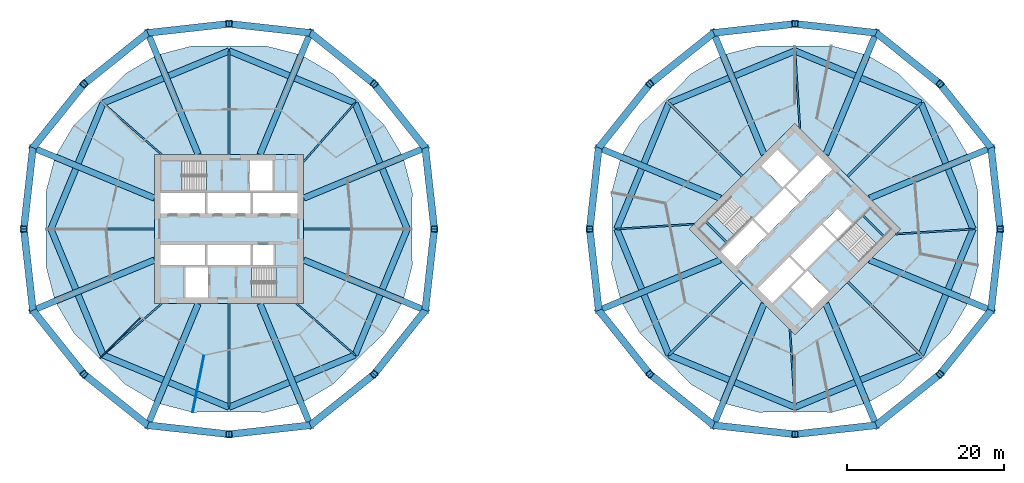
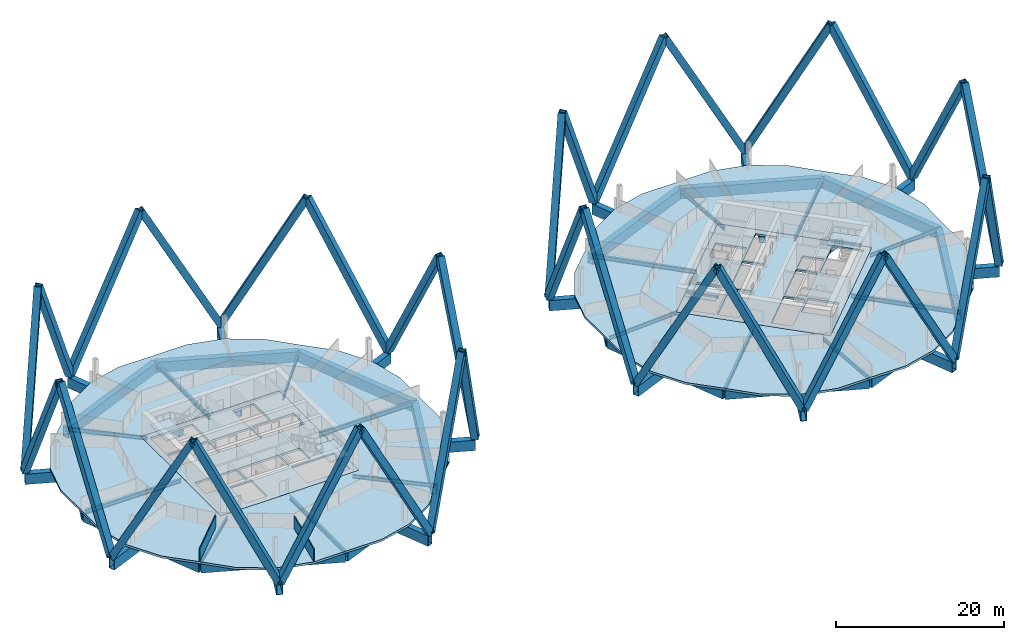
# One storey, part 3 of 9: 50 beams, 32 members, 8 slabs, 2 walls, 4 elements without a shape of their own.
"""IFC4 building model written with IfcOpenShell, lengths in metres."""

import ifcopenshell
import ifcopenshell.guid

model = None  # the IFC model being written
_history = None  # IfcOwnerHistory: only IFC2X3 demands one
_inside = {}  # id of a spatial element -> (the spatial element, [elements in it])
_under = {}  # id of a project, library or spatial element -> (it, [spatial elements below it])
_declared = {}  # id of a project -> (the project, [libraries it declares])
_typed = {}  # id of a type object -> (the type object, [elements of that type])
_made_of = {}  # id of a material, layer set ... -> (it, [elements and type objects made of it])


def new_model(schema):
    """Start an empty IFC model of exactly this schema.

    Asked for "IFC4X3", IfcOpenShell would pick the latest addendum, in which some entities
    have other attributes; the version numbers below select the first issue.
    IFC2X3 requires an IfcOwnerHistory on every rooted entity: one is made here for all.
    """
    global model, _history
    if schema == "IFC4X3":
        model = ifcopenshell.file(schema_version=(4, 3, 0, 0))
    else:
        model = ifcopenshell.file(schema=schema)
    _inside.clear()
    _under.clear()
    _declared.clear()
    _typed.clear()
    _made_of.clear()
    _history = None
    if model.schema == "IFC2X3":
        org = make("IfcOrganization", Name="unknown")
        user = make(
            "IfcPersonAndOrganization",
            ThePerson=make("IfcPerson", FamilyName="unknown"),
            TheOrganization=org,
        )
        app = make(
            "IfcApplication",
            ApplicationDeveloper=org,
            Version="unknown",
            ApplicationFullName="unknown",
            ApplicationIdentifier="unknown",
        )
        _history = make(
            "IfcOwnerHistory",
            OwningUser=user,
            OwningApplication=app,
            ChangeAction="ADDED",
            CreationDate=0,
        )
    return model


def make(cls, **values):
    """One entity of the class cls with the attributes given. An attribute that is None is left unset."""
    return model.create_entity(
        cls, **{name: value for name, value in values.items() if value is not None}
    )


def rooted(cls, **values):
    """An entity with a GlobalId (a new one), such as an element, a storey or a relation."""
    return make(cls, GlobalId=ifcopenshell.guid.new(), OwnerHistory=_history, **values)


def si_unit(unit_type, name, prefix=None):
    """IfcSIUnit, for example si_unit("LENGTHUNIT", "METRE", prefix="MILLI")."""
    return make("IfcSIUnit", UnitType=unit_type, Prefix=prefix, Name=name)


def assignment(units):
    """IfcUnitAssignment: the units of a project."""
    return None if units is None else make("IfcUnitAssignment", Units=units)


def point(xyz):
    """IfcCartesianPoint."""
    return None if xyz is None else make("IfcCartesianPoint", Coordinates=xyz)


def direction(xyz):
    """IfcDirection."""
    return None if xyz is None else make("IfcDirection", DirectionRatios=xyz)


def frame(location, z_axis=None, x_axis=None):
    """IfcAxis2Placement3D, a coordinate frame: its origin and axes. An axis left out is left unset."""
    return make(
        "IfcAxis2Placement3D",
        Location=point(location),
        Axis=direction(z_axis),
        RefDirection=direction(x_axis),
    )


def frame_2d(location, x_axis=None):
    """IfcAxis2Placement2D, a coordinate frame in the plane: its origin and x axis."""
    return make(
        "IfcAxis2Placement2D", Location=point(location), RefDirection=direction(x_axis)
    )


def origin():
    """The frame at (0, 0, 0) with its axes left unset."""
    return frame((0.0, 0.0, 0.0))


def origin_2d():
    """The frame at (0, 0) in the plane with its x axis left unset."""
    return frame_2d((0.0, 0.0))


def place(relative_to, where):
    """IfcLocalPlacement: puts the frame where relative to a parent placement (None: the world)."""
    return make(
        "IfcLocalPlacement", PlacementRelTo=relative_to, RelativePlacement=where
    )


def context(
    kind, dimensions, precision=None, world=None, true_north=None, identifier=None
):
    """IfcGeometricRepresentationContext, for example the 3D "Model" context."""
    return make(
        "IfcGeometricRepresentationContext",
        ContextIdentifier=identifier,
        ContextType=kind,
        CoordinateSpaceDimension=dimensions,
        Precision=precision,
        WorldCoordinateSystem=world,
        TrueNorth=true_north,
    )


def subcontext(parent, identifier, kind, view, scale=None):
    """IfcGeometricRepresentationSubContext, for example "Body" below "Model"."""
    return make(
        "IfcGeometricRepresentationSubContext",
        ContextIdentifier=identifier,
        ContextType=kind,
        ParentContext=parent,
        TargetScale=scale,
        TargetView=view,
    )


def project(units=None, contexts=None):
    """IfcProject with its units and contexts."""
    return rooted(
        "IfcProject",
        Name="project",
        RepresentationContexts=contexts,
        UnitsInContext=assignment(units),
    )


def spatial(cls, under=None, at=None, **own):
    """A site, building, storey or space (cls), placed at a placement, below another one or the project."""
    s = rooted(cls, ObjectPlacement=at, **own)
    if under is not None:
        _under.setdefault(under.id(), (under, []))[1].append(s)
    return s


def polyline(points):
    """IfcPolyline through the points."""
    return make("IfcPolyline", Points=[point(p) for p in points])


def profile(cls, at=None, kind="AREA", **sizes):
    """A parametric profile (cls). Its sizes go by their IFC names, for example OverallWidth=200.0."""
    return make(cls, ProfileType=kind, Position=at, **sizes)


def rectangle(**sizes):
    """IfcRectangleProfileDef."""
    return profile("IfcRectangleProfileDef", **sizes)


def hollow_rectangle(**sizes):
    """IfcRectangleHollowProfileDef."""
    return profile("IfcRectangleHollowProfileDef", **sizes)


def i_section(**sizes):
    """IfcIShapeProfileDef."""
    return profile("IfcIShapeProfileDef", **sizes)


def outline(outer, holes=None, kind="AREA"):
    """IfcArbitraryClosedProfileDef: a profile drawn as a closed curve; with holes, ...WithVoids."""
    if holes is None:
        return make("IfcArbitraryClosedProfileDef", ProfileType=kind, OuterCurve=outer)
    return make(
        "IfcArbitraryProfileDefWithVoids",
        ProfileType=kind,
        OuterCurve=outer,
        InnerCurves=holes,
    )


def extrude(swept, where, along, depth):
    """IfcExtrudedAreaSolid: the profile swept, set in the frame where, extruded along a direction by depth."""
    return make(
        "IfcExtrudedAreaSolid",
        SweptArea=swept,
        Position=where,
        ExtrudedDirection=direction(along),
        Depth=depth,
    )


def shape(context_of_items, identifier, shape_type, items):
    """IfcShapeRepresentation: the items that make up one representation, for example the "Body"."""
    return make(
        "IfcShapeRepresentation",
        ContextOfItems=context_of_items,
        RepresentationIdentifier=identifier,
        RepresentationType=shape_type,
        Items=items,
    )


def material(Name=None, Category=None):
    """IfcMaterial."""
    return make("IfcMaterial", Name=Name, Category=Category)


def layer(
    of_material, thickness, ventilated=None, Name=None, Category=None, Priority=None
):
    """IfcMaterialLayer: one layer of a wall or slab, of a material (None: an air gap)."""
    return make(
        "IfcMaterialLayer",
        Material=of_material,
        LayerThickness=thickness,
        IsVentilated=ventilated,
        Name=Name,
        Category=Category,
        Priority=Priority,
    )


def layer_set(layers, Name=None):
    """IfcMaterialLayerSet."""
    return make("IfcMaterialLayerSet", MaterialLayers=layers, LayerSetName=Name)


def material_profile(
    of_material, cross_section, Name=None, Category=None, Priority=None
):
    """IfcMaterialProfile: a cross section and its material."""
    return make(
        "IfcMaterialProfile",
        Name=Name,
        Material=of_material,
        Profile=cross_section,
        Priority=Priority,
        Category=Category,
    )


def profile_set(profiles, Name=None, composite=None):
    """IfcMaterialProfileSet."""
    return make(
        "IfcMaterialProfileSet",
        Name=Name,
        MaterialProfiles=profiles,
        CompositeProfile=composite,
    )


def made_of(thing, what):
    """Note that an element or type object is made of a material, layer set ...; save() writes the relation."""
    if what is not None:
        _made_of.setdefault(what.id(), (what, []))[1].append(thing)
    return thing


def type_object(cls, material=None, **own):
    """A type object (cls), such as IfcWallType, which elements share."""
    return made_of(rooted(cls, **own), material)


def element(
    cls,
    number,
    at=None,
    inside=None,
    cuts=None,
    type_object=None,
    material=None,
    context=None,
    identifier="Body",
    shape_type=None,
    held_by="IfcProductDefinitionShape",
    body=None,
    shapes=None,
    **own,
):
    """One element of the class cls, such as IfcWall. Its Tag is "e" and its number.

    at: its placement. inside: the storey or other place that contains it. cuts: it is an
    opening in that element (IfcRelVoidsElement). A single representation is given by context,
    identifier, shape_type and body (its items); several are given by shapes. held_by: the class
    of the entity that holds the representations. save() writes the other relations.
    """
    e = rooted(cls, Tag="e%d" % number, ObjectPlacement=at, **own)
    if body is not None:
        shapes = [shape(context, identifier, shape_type, body)]
    if shapes is not None:
        e.Representation = make(held_by, Representations=shapes)
    if inside is not None:
        _inside.setdefault(inside.id(), (inside, []))[1].append(e)
    if cuts is not None:
        rooted(
            "IfcRelVoidsElement", RelatingBuildingElement=cuts, RelatedOpeningElement=e
        )
    if type_object is not None:
        _typed.setdefault(type_object.id(), (type_object, []))[1].append(e)
    return made_of(e, material)


def aggregate(whole, parts):
    """IfcRelAggregates: a whole, such as a stair, and the parts it consists of."""
    return rooted("IfcRelAggregates", RelatingObject=whole, RelatedObjects=parts)


def save(model, path):
    """Write the relations noted so far, then the file.

    IfcRelAggregates (storeys below a building ...), IfcRelContainedInSpatialStructure (elements
    in a storey), IfcRelDefinesByType, IfcRelAssociatesMaterial and IfcRelDeclares: one each for
    every whole, place, type object, material and project.
    """
    for whole, parts in _under.values():
        aggregate(whole, parts)
    for where, things in _inside.values():
        rooted(
            "IfcRelContainedInSpatialStructure",
            RelatedElements=things,
            RelatingStructure=where,
        )
    for kind, things in _typed.values():
        rooted("IfcRelDefinesByType", RelatedObjects=things, RelatingType=kind)
    for what, things in _made_of.values():
        rooted("IfcRelAssociatesMaterial", RelatedObjects=things, RelatingMaterial=what)
    for by, libraries in _declared.values():
        rooted("IfcRelDeclares", RelatingContext=by, RelatedDefinitions=libraries)
    model.write(path)


model = new_model("IFC4")

# Units and contexts
model_context = context("Model", 3, precision=1e-05, world=origin(), true_north=direction((0.0, 1.0)))
body_context = subcontext(model_context, "Body", "Model", "MODEL_VIEW")
ifc_project = project(units=[si_unit("LENGTHUNIT", "METRE"), si_unit("AREAUNIT", "SQUARE_METRE"), si_unit("VOLUMEUNIT", "CUBIC_METRE"), si_unit("PLANEANGLEUNIT", "RADIAN"), si_unit("MASSUNIT", "GRAM", prefix="KILO")], contexts=[model_context])

# Site, building, storey
site_placement = place(None, origin())
site = spatial("IfcSite", under=ifc_project, at=site_placement, CompositionType="ELEMENT")
building_placement = place(site_placement, origin())
building = spatial("IfcBuilding", under=site, at=building_placement, Name="Ogive Gate Towers", CompositionType="ELEMENT")
storey_placement = place(building_placement, frame((0.0, 0.0, 95.699951171875)))
storey = spatial("IfcBuildingStorey", under=building, at=storey_placement, Name="L22", CompositionType="ELEMENT", Elevation=95.699951171875)

# Members
ifc_material_1 = material(Name="Steel SM460", Category="steel")
ifc_material_profile_1 = material_profile(ifc_material_1, hollow_rectangle(XDim=0.89990234375, YDim=0.89990234375, WallThickness=0.080078125, at=origin_2d()), Name="BX 900x900x80")
ifc_profile_set_1 = profile_set([ifc_material_profile_1], Name="Steel SM460")
member_type = type_object("IfcMemberType", Name="Diagrid diagonal BX 900x900x80", PredefinedType="BRACE", material=ifc_profile_set_1)
for number, where, z_axis, x_axis, name in (
    (1, (-11.036865234375, 10.340087890625, 0.0), (0.051895339022, -0.467842335802, 0.882287040945), (0.993904036964, 0.110248652177, 0.0), "T1/L22/SDG001"),
    (2, (-11.036865234375, 10.340087890625, 0.0), (-0.294117970888, 0.367509385242, 0.882287635048), (-0.780754322101, -0.624838129855, 0.0), "T1/L22/SDG002"),
    (3, (-25.659912109375, 24.963134765625, 0.0), (0.367509385242, -0.294117970888, 0.882287635048), (0.624838129855, 0.780754322101, 0.0), "T1/L22/SDG003"),
    (4, (-25.659912109375, 24.963134765625, 0.0), (-0.467842335802, 0.051895339022, 0.882287040945), (-0.110248652177, -0.993904036964, 0.0), "T1/L22/SDG004"),
    (5, (-46.340087890625, 24.963134765625, 0.0), (0.467842335802, 0.051895339022, 0.882287040945), (-0.110248652177, 0.993904036964, 0.0), "T1/L22/SDG005"),
    (6, (-46.340087890625, 24.963134765625, 0.0), (-0.367509385242, -0.294117970888, 0.882287635048), (0.624838129855, -0.780754322101, 0.0), "T1/L22/SDG006"),
    (7, (-60.963134765625, 10.340087890625, 0.0), (0.294117970888, 0.367509385242, 0.882287635048), (-0.780754322101, 0.624838129855, 0.0), "T1/L22/SDG007"),
    (8, (-60.963134765625, 10.340087890625, 0.0), (-0.051895339022, -0.467842335802, 0.882287040945), (0.993904036964, -0.110248652177, 0.0), "T1/L22/SDG008"),
    (9, (-60.963134765625, -10.340087890625, 0.0), (-0.051895339022, 0.467842335802, 0.882287040945), (-0.993904036964, -0.110248652177, 0.0), "T1/L22/SDG009"),
    (10, (-60.963134765625, -10.340087890625, 0.0), (0.294117970888, -0.367509385242, 0.882287635048), (0.780754322101, 0.624838129855, 0.0), "T1/L22/SDG010"),
    (11, (-46.340087890625, -24.963134765625, 0.0), (-0.367509385242, 0.294117970888, 0.882287635048), (-0.624838129855, -0.780754322101, 0.0), "T1/L22/SDG011"),
    (12, (-46.340087890625, -24.963134765625, 0.0), (0.467842335802, -0.051895339022, 0.882287040945), (0.110248652177, 0.993904036964, 0.0), "T1/L22/SDG012"),
    (13, (-25.659912109375, -24.963134765625, 0.0), (-0.467842335802, -0.051895339022, 0.882287040945), (0.110248652177, -0.993904036964, 0.0), "T1/L22/SDG013"),
    (14, (-25.659912109375, -24.963134765625, 0.0), (0.367509385242, 0.294117970888, 0.882287635048), (-0.624838129855, 0.780754322101, 0.0), "T1/L22/SDG014"),
    (15, (-11.036865234375, -10.340087890625, 0.0), (-0.294117970888, -0.367509385242, 0.882287635048), (0.780754322101, -0.624838129855, 0.0), "T1/L22/SDG015"),
    (16, (-11.036865234375, -10.340087890625, 0.0), (0.051895339022, 0.467842335802, 0.882287040945), (-0.993904036964, 0.110248652177, 0.0), "T1/L22/SDG016"),
    (17, (60.963134765625, 10.340087890625, 0.0), (0.051895339022, -0.467842335802, 0.882287040945), (0.993904036964, 0.110248652177, 0.0), "T2/L22/SDG001"),
    (18, (60.963134765625, 10.340087890625, 0.0), (-0.294117970888, 0.367509385242, 0.882287635048), (-0.780754322101, -0.624838129855, 0.0), "T2/L22/SDG002"),
    (19, (46.340087890625, 24.963134765625, 0.0), (0.367509385242, -0.294117970888, 0.882287635048), (0.624838129855, 0.780754322101, 0.0), "T2/L22/SDG003"),
    (20, (46.340087890625, 24.963134765625, 0.0), (-0.467842335802, 0.051895339022, 0.882287040945), (-0.110248652177, -0.993904036964, 0.0), "T2/L22/SDG004"),
    (21, (25.659912109375, 24.963134765625, 0.0), (0.467842335802, 0.051895339022, 0.882287040945), (-0.110248652177, 0.993904036964, 0.0), "T2/L22/SDG005"),
    (22, (25.659912109375, 24.963134765625, 0.0), (-0.367509385242, -0.294117970888, 0.882287635048), (0.624838129855, -0.780754322101, 0.0), "T2/L22/SDG006"),
    (23, (11.036865234375, 10.340087890625, 0.0), (0.294117970888, 0.367509385242, 0.882287635048), (-0.780754322101, 0.624838129855, 0.0), "T2/L22/SDG007"),
    (24, (11.036865234375, 10.340087890625, 0.0), (-0.051895339022, -0.467842335802, 0.882287040945), (0.993904036964, -0.110248652177, 0.0), "T2/L22/SDG008"),
    (25, (11.036865234375, -10.340087890625, 0.0), (-0.051895339022, 0.467842335802, 0.882287040945), (-0.993904036964, -0.110248652177, 0.0), "T2/L22/SDG009"),
    (26, (11.036865234375, -10.340087890625, 0.0), (0.294117970888, -0.367509385242, 0.882287635048), (0.780754322101, 0.624838129855, 0.0), "T2/L22/SDG010"),
    (27, (25.659912109375, -24.963134765625, 0.0), (-0.367509385242, 0.294117970888, 0.882287635048), (-0.624838129855, -0.780754322101, 0.0), "T2/L22/SDG011"),
    (28, (25.659912109375, -24.963134765625, 0.0), (0.467842335802, -0.051895339022, 0.882287040945), (0.110248652177, 0.993904036964, 0.0), "T2/L22/SDG012"),
    (29, (46.340087890625, -24.963134765625, 0.0), (-0.467842335802, -0.051895339022, 0.882287040945), (0.110248652177, -0.993904036964, 0.0), "T2/L22/SDG013"),
    (30, (46.340087890625, -24.963134765625, 0.0), (0.367509385242, 0.294117970888, 0.882287635048), (-0.624838129855, 0.780754322101, 0.0), "T2/L22/SDG014"),
    (31, (60.963134765625, -10.340087890625, 0.0), (-0.294117970888, -0.367509385242, 0.882287635048), (0.780754322101, -0.624838129855, 0.0), "T2/L22/SDG015"),
    (32, (60.963134765625, -10.340087890625, 0.0), (0.051895339022, 0.467842335802, 0.882287040945), (-0.993904036964, 0.110248652177, 0.0), "T2/L22/SDG016"),
):
    element("IfcMember", number, at=place(storey_placement, frame(where, z_axis=z_axis, x_axis=x_axis)), inside=storey, type_object=member_type, Name=name, PredefinedType="BRACE", context=body_context, shape_type="SweptSolid", body=[
        extrude(hollow_rectangle(XDim=0.89990234375, YDim=0.89990234375, WallThickness=0.080078125, at=origin_2d()), origin(), (0.0, 0.0, 1.0), 22.1015625),
    ])

# Beams
ifc_material_profile_2 = material_profile(ifc_material_1, hollow_rectangle(XDim=0.800048828125, YDim=1.5, WallThickness=0.06005859375, at=origin_2d()), Name="BX 1500x800x60")
ifc_profile_set_2 = profile_set([ifc_material_profile_2], Name="Steel SM460")
beam_type_1 = type_object("IfcBeamType", Name="Edge girder BX 1500x800x60", PredefinedType="BEAM", material=ifc_profile_set_2)
for number, where, z_axis, x_axis, name in (
    (33, (-52.030029296875, -16.030029296875, -1.050048828125), (0.923878777792, -0.382685254414, 0.0), (0.382685254414, 0.923878777792, 0.0), "T1/L22/SBM017"),
    (34, (-36.0, -22.669921875, -1.050048828125), (0.923878777792, 0.382685254414, 0.0), (-0.382685254414, 0.923878777792, 0.0), "T1/L22/SBM018"),
    (35, (-19.969970703125, -16.030029296875, -1.050048828125), (0.382685254414, 0.923878777792, 0.0), (-0.923878777792, 0.382685254414, 0.0), "T1/L22/SBM019"),
    (36, (-13.330078125, 0.0, -1.050048828125), (-0.382685254414, 0.923878777792, 0.0), (-0.923878777792, -0.382685254414, 0.0), "T1/L22/SBM020"),
    (37, (-19.969970703125, 16.030029296875, -1.050048828125), (-0.923878777792, 0.382685254414, 0.0), (-0.382685254414, -0.923878777792, 0.0), "T1/L22/SBM021"),
    (38, (-36.0, 22.669921875, -1.050048828125), (-0.923878777792, -0.382685254414, 0.0), (0.382685254414, -0.923878777792, 0.0), "T1/L22/SBM022"),
    (39, (-52.030029296875, 16.030029296875, -1.050048828125), (-0.382685254414, -0.923878777792, 0.0), (0.923878777792, -0.382685254414, 0.0), "T1/L22/SBM023"),
    (40, (-58.669921875, 0.0, -1.050048828125), (0.382685254414, -0.923878777792, 0.0), (0.923878777792, 0.382685254414, 0.0), "T1/L22/SBM024"),
    (41, (19.969970703125, -16.030029296875, -1.050048828125), (0.923878777792, -0.382685254414, 0.0), (0.382685254414, 0.923878777792, 0.0), "T2/L22/SBM017"),
    (42, (36.0, -22.669921875, -1.050048828125), (0.923878777792, 0.382685254414, 0.0), (-0.382685254414, 0.923878777792, 0.0), "T2/L22/SBM018"),
    (43, (52.030029296875, -16.030029296875, -1.050048828125), (0.382685254414, 0.923878777792, 0.0), (-0.923878777792, 0.382685254414, 0.0), "T2/L22/SBM019"),
    (44, (58.669921875, 0.0, -1.050048828125), (-0.382685254414, 0.923878777792, 0.0), (-0.923878777792, -0.382685254414, 0.0), "T2/L22/SBM020"),
    (45, (52.030029296875, 16.030029296875, -1.050048828125), (-0.923878777792, 0.382685254414, 0.0), (-0.382685254414, -0.923878777792, 0.0), "T2/L22/SBM021"),
    (46, (36.0, 22.669921875, -1.050048828125), (-0.923878777792, -0.382685254414, 0.0), (0.382685254414, -0.923878777792, 0.0), "T2/L22/SBM022"),
    (47, (19.969970703125, 16.030029296875, -1.050048828125), (-0.382685254414, -0.923878777792, 0.0), (0.923878777792, -0.382685254414, 0.0), "T2/L22/SBM023"),
    (48, (13.330078125, 0.0, -1.050048828125), (0.382685254414, -0.923878777792, 0.0), (0.923878777792, 0.382685254414, 0.0), "T2/L22/SBM024"),
):
    element("IfcBeam", number, at=place(storey_placement, frame(where, z_axis=z_axis, x_axis=x_axis)), inside=storey, type_object=beam_type_1, Name=name, PredefinedType="BEAM", context=body_context, shape_type="SweptSolid", body=[
        extrude(hollow_rectangle(XDim=0.800048828125, YDim=1.5, WallThickness=0.06005859375, at=origin_2d()), origin(), (0.0, 0.0, 1.0), 17.350830078125),
    ])
ifc_material_2 = material(Name="Concrete C40/50", Category="concrete")
ifc_material_profile_3 = material_profile(ifc_material_2, rectangle(XDim=0.25, YDim=0.300048828125, at=origin_2d()), Name="RC 250x300")
ifc_profile_set_3 = profile_set([ifc_material_profile_3], Name="Concrete C40/50")
beam_type_2 = type_object("IfcBeamType", Name="Landing bearer RC 250x300", PredefinedType="BEAM", material=ifc_profile_set_3)
for number, where, z_axis, x_axis, name in (
    (49, (24.650390625, 0.9541015625, 1.60009765625), (0.707106781187, -0.707106781187, 0.0), (0.707106781187, 0.707106781187, 0.0), "T2 L22 stair 1 landing bearer 1"),
    (50, (47.349609375, -0.9541015625, 1.60009765625), (-0.707106781187, 0.707106781187, 0.0), (-0.707106781187, -0.707106781187, 0.0), "T2 L22 stair 2 landing bearer 1"),
):
    element("IfcBeam", number, at=place(storey_placement, frame(where, z_axis=z_axis, x_axis=x_axis)), inside=storey, type_object=beam_type_2, Name=name, PredefinedType="BEAM", context=body_context, shape_type="SweptSolid", body=[
        extrude(rectangle(XDim=0.25, YDim=0.300048828125, at=origin_2d()), origin(), (0.0, 0.0, 1.0), 3.824951171875),
    ])
ifc_material_3 = material(Name="Steel SM355", Category="steel")
ifc_material_profile_4 = material_profile(ifc_material_3, i_section(OverallWidth=0.300048828125, OverallDepth=0.590087890625, WebThickness=0.012939453125, FlangeThickness=0.02490234375, FilletRadius=0.027099609375, at=origin_2d()), Name="HE 600 A")
ifc_profile_set_4 = profile_set([ifc_material_profile_4], Name="Steel SM355")
beam_type_3 = type_object("IfcBeamType", Name="Radial floor beam HE 600 A", PredefinedType="BEAM", material=ifc_profile_set_4)
for number, where, z_axis, x_axis, name in (
    (51, (-36.0, -9.5, -0.594970703125), (0.0, -1.0, 0.0), (1.0, 0.0, 0.0), "T1/L22/SBM003"),
    (52, (-26.5, 0.0, -0.594970703125), (1.0, 0.0, 0.0), (0.0, 1.0, 0.0), "T1/L22/SBM007"),
    (53, (-36.0, 9.5, -0.594970703125), (0.0, 1.0, 0.0), (-1.0, 0.0, 0.0), "T1/L22/SBM011"),
    (54, (-45.5, 0.0, -0.594970703125), (-1.0, 0.0, 0.0), (0.0, -1.0, 0.0), "T1/L22/SBM015"),
    (55, (29.282470703125, -6.717529296875, -0.594970703125), (-0.707106781187, -0.707106781187, 0.0), (0.707106781187, -0.707106781187, 0.0), "T2/L22/SBM001"),
    (56, (42.717529296875, -6.717529296875, -0.594970703125), (0.707106781187, -0.707106781187, 0.0), (0.707106781187, 0.707106781187, 0.0), "T2/L22/SBM005"),
    (57, (42.717529296875, 6.717529296875, -0.594970703125), (0.707106781187, 0.707106781187, 0.0), (-0.707106781187, 0.707106781187, 0.0), "T2/L22/SBM009"),
    (58, (29.282470703125, 6.717529296875, -0.594970703125), (-0.707106781187, 0.707106781187, 0.0), (-0.707106781187, -0.707106781187, 0.0), "T2/L22/SBM013"),
):
    element("IfcBeam", number, at=place(storey_placement, frame(where, z_axis=z_axis, x_axis=x_axis)), inside=storey, type_object=beam_type_3, Name=name, PredefinedType="BEAM", context=body_context, shape_type="SweptSolid", body=[
        extrude(i_section(OverallWidth=0.300048828125, OverallDepth=0.590087890625, WebThickness=0.012939453125, FlangeThickness=0.02490234375, FilletRadius=0.027099609375, at=origin_2d()), origin(), (0.0, 0.0, 1.0), 13.169921875),
    ])
ifc_material_profile_5 = material_profile(ifc_material_3, i_section(OverallWidth=0.2099609375, OverallDepth=0.550048828125, WebThickness=0.010986328125, FlangeThickness=0.01708984375, FilletRadius=0.02392578125, at=origin_2d()), Name="IPE 550")
ifc_profile_set_5 = profile_set([ifc_material_profile_5], Name="Steel SM355")
beam_type_4 = type_object("IfcBeamType", Name="Radial floor beam IPE 550", PredefinedType="BEAM", material=ifc_profile_set_5)
for number, where, z_axis, x_axis, name in (
    (59, (-44.60009765625, -9.5, -0.574951171875), (-0.751130036477, -0.660154276137, 0.0), (0.660154276137, -0.751130036477, 0.0), "T1/L22/SBM001"),
    (60, (-27.39990234375, -9.5, -0.574951171875), (0.751130036477, -0.660154276137, 0.0), (0.660154276137, 0.751130036477, 0.0), "T1/L22/SBM005"),
    (61, (-26.5, 8.60009765625, -0.574951171875), (0.660154276137, 0.751130036477, 0.0), (-0.751130036477, 0.660154276137, 0.0), "T1/L22/SBM009"),
    (62, (-44.60009765625, 9.5, -0.574951171875), (-0.751130036477, 0.660154276137, 0.0), (-0.660154276137, -0.751130036477, 0.0), "T1/L22/SBM013"),
):
    element("IfcBeam", number, at=place(storey_placement, frame(where, z_axis=z_axis, x_axis=x_axis)), inside=storey, type_object=beam_type_4, Name=name, PredefinedType="BEAM", context=body_context, shape_type="SweptSolid", body=[
        extrude(i_section(OverallWidth=0.2099609375, OverallDepth=0.550048828125, WebThickness=0.010986328125, FlangeThickness=0.01708984375, FilletRadius=0.02392578125, at=origin_2d()), origin(), (0.0, 0.0, 1.0), 9.8916015625),
    ])
for number, where, z_axis, x_axis, name in (
    (63, (35.363525390625, -12.798583984375, -0.574951171875), (0.064343427717, -0.997927814679, 0.0), (0.997927814679, 0.064343427717, 0.0), "T2/L22/SBM003"),
    (64, (48.798583984375, -0.636474609375, -0.574951171875), (0.997927814679, 0.064343427717, 0.0), (-0.064343427717, 0.997927814679, 0.0), "T2/L22/SBM007"),
    (65, (36.636474609375, 12.798583984375, -0.574951171875), (-0.064343427717, 0.997927814679, 0.0), (-0.997927814679, -0.064343427717, 0.0), "T2/L22/SBM011"),
    (66, (23.201416015625, 0.636474609375, -0.574951171875), (-0.997927814679, -0.064343427717, 0.0), (0.064343427717, -0.997927814679, 0.0), "T2/L22/SBM015"),
):
    element("IfcBeam", number, at=place(storey_placement, frame(where, z_axis=z_axis, x_axis=x_axis)), inside=storey, type_object=beam_type_4, Name=name, PredefinedType="BEAM", context=body_context, shape_type="SweptSolid", body=[
        extrude(i_section(OverallWidth=0.2099609375, OverallDepth=0.550048828125, WebThickness=0.010986328125, FlangeThickness=0.01708984375, FilletRadius=0.02392578125, at=origin_2d()), origin(), (0.0, 0.0, 1.0), 9.891845703125),
    ])
ifc_material_profile_6 = material_profile(ifc_material_1, hollow_rectangle(XDim=0.800048828125, YDim=1.5, WallThickness=0.06005859375, at=origin_2d()), Name="BX 1500x800x60")
ifc_profile_set_6 = profile_set([ifc_material_profile_6], Name="Steel SM460")
beam_type_5 = type_object("IfcBeamType", Name="Transfer radial beam BX 1500x800x60", PredefinedType="BEAM", material=ifc_profile_set_6)
for number, where, z_axis, x_axis, name in (
    (67, (-39.93505859375, -9.5, -1.050048828125), (-0.38268287956, -0.92387976149, 0.0), (0.92387976149, -0.38268287956, 0.0), "T1/L22/SBM002"),
    (68, (-32.06494140625, -9.5, -1.050048828125), (0.38268287956, -0.92387976149, 0.0), (0.92387976149, 0.38268287956, 0.0), "T1/L22/SBM004"),
    (69, (-26.5, -3.93505859375, -1.050048828125), (0.92387976149, -0.38268287956, 0.0), (0.38268287956, 0.92387976149, 0.0), "T1/L22/SBM006"),
    (70, (-26.5, 3.93505859375, -1.050048828125), (0.92387976149, 0.38268287956, 0.0), (-0.38268287956, 0.92387976149, 0.0), "T1/L22/SBM008"),
    (71, (-32.06494140625, 9.5, -1.050048828125), (0.38268287956, 0.92387976149, 0.0), (-0.92387976149, 0.38268287956, 0.0), "T1/L22/SBM010"),
    (72, (-39.93505859375, 9.5, -1.050048828125), (-0.38268287956, 0.92387976149, 0.0), (-0.92387976149, -0.38268287956, 0.0), "T1/L22/SBM012"),
    (73, (-45.5, 3.93505859375, -1.050048828125), (-0.92387976149, 0.38268287956, 0.0), (-0.38268287956, -0.92387976149, 0.0), "T1/L22/SBM014"),
    (74, (-45.5, -3.93505859375, -1.050048828125), (-0.92387976149, -0.38268287956, 0.0), (0.38268287956, -0.92387976149, 0.0), "T1/L22/SBM016"),
    (75, (32.06494140625, -9.5, -1.050048828125), (-0.38268287956, -0.92387976149, 0.0), (0.92387976149, -0.38268287956, 0.0), "T2/L22/SBM002"),
    (76, (39.93505859375, -9.5, -1.050048828125), (0.38268287956, -0.92387976149, 0.0), (0.92387976149, 0.38268287956, 0.0), "T2/L22/SBM004"),
    (77, (45.5, -3.93505859375, -1.050048828125), (0.92387976149, -0.38268287956, 0.0), (0.38268287956, 0.92387976149, 0.0), "T2/L22/SBM006"),
    (78, (45.5, 3.93505859375, -1.050048828125), (0.92387976149, 0.38268287956, 0.0), (-0.38268287956, 0.92387976149, 0.0), "T2/L22/SBM008"),
    (79, (39.93505859375, 9.5, -1.050048828125), (0.38268287956, 0.92387976149, 0.0), (-0.92387976149, 0.38268287956, 0.0), "T2/L22/SBM010"),
    (80, (32.06494140625, 9.5, -1.050048828125), (-0.38268287956, 0.92387976149, 0.0), (-0.92387976149, -0.38268287956, 0.0), "T2/L22/SBM012"),
    (81, (26.5, 3.93505859375, -1.050048828125), (-0.92387976149, 0.38268287956, 0.0), (-0.38268287956, -0.92387976149, 0.0), "T2/L22/SBM014"),
    (82, (26.5, -3.93505859375, -1.050048828125), (-0.92387976149, -0.38268287956, 0.0), (0.38268287956, -0.92387976149, 0.0), "T2/L22/SBM016"),
):
    element("IfcBeam", number, at=place(storey_placement, frame(where, z_axis=z_axis, x_axis=x_axis)), inside=storey, type_object=beam_type_5, Name=name, PredefinedType="BEAM", context=body_context, shape_type="SweptSolid", body=[
        extrude(hollow_rectangle(XDim=0.800048828125, YDim=1.5, WallThickness=0.06005859375, at=origin_2d()), origin(), (0.0, 0.0, 1.0), 16.737060546875),
    ])

# Slabs
ifc_layer_1 = layer(ifc_material_2, 0.300048828125)
ifc_layer_set_1 = layer_set([ifc_layer_1], Name="Core slab C40/50 300 mm")
slab_type_1 = type_object("IfcSlabType", Name="Core slab C40/50 300 mm", PredefinedType="FLOOR", material=ifc_layer_set_1)
slab_1_placement = place(storey_placement, frame((0.0, 0.0, -0.300048828125)))
element("IfcSlab", 83, at=slab_1_placement, inside=storey, type_object=slab_type_1, Name="T1 L22 core slab", PredefinedType="FLOOR", context=body_context, shape_type="SweptSolid", body=[
    extrude(outline(polyline([(-26.5, 9.5), (-26.5, -9.5), (-45.5, -9.5), (-45.5, 9.5), (-26.5, 9.5)]), holes=[polyline([(-39.02490234375, 4.625), (-44.699951171875, 4.625), (-44.699951171875, 2.0), (-39.02490234375, 2.0), (-39.02490234375, 4.625)]), polyline([(-33.22509765625, 2.0), (-33.22509765625, 4.625), (-38.77490234375, 4.625), (-38.77490234375, 2.0), (-33.22509765625, 2.0)]), polyline([(-32.97509765625, 2.0), (-27.300048828125, 2.0), (-27.300048828125, 4.625), (-32.97509765625, 4.625), (-32.97509765625, 2.0)]), polyline([(-44.699951171875, -2.0), (-44.699951171875, -4.625), (-39.02490234375, -4.625), (-39.02490234375, -2.0), (-44.699951171875, -2.0)]), polyline([(-33.22509765625, -2.0), (-38.77490234375, -2.0), (-38.77490234375, -4.625), (-33.22509765625, -4.625), (-33.22509765625, -2.0)]), polyline([(-30.324951171875, -4.625), (-30.324951171875, -2.0), (-32.97509765625, -2.0), (-32.97509765625, -4.625), (-30.324951171875, -4.625)]), polyline([(-33.375, 4.875), (-30.425048828125, 4.875), (-30.425048828125, 8.699951171875), (-33.375, 8.699951171875), (-33.375, 4.875)]), polyline([(-41.574951171875, -4.875), (-41.574951171875, -8.699951171875), (-38.625, -8.699951171875), (-38.625, -4.875), (-41.574951171875, -4.875)]), polyline([(-44.699951171875, 4.875), (-38.885009765625, 4.875), (-38.885009765625, 8.699951171875), (-44.699951171875, 8.699951171875), (-44.699951171875, 4.875)]), polyline([(-27.300048828125, -8.699951171875), (-27.300048828125, -4.875), (-33.114990234375, -4.875), (-33.114990234375, -8.699951171875), (-27.300048828125, -8.699951171875)])]), origin(), (0.0, 0.0, 1.0), 0.300048828125),
])
slab_2_placement = place(storey_placement, frame((0.0, 0.0, -0.300048828125)))
element("IfcSlab", 84, at=slab_2_placement, inside=storey, type_object=slab_type_1, Name="T2 L22 core slab", PredefinedType="FLOOR", context=body_context, shape_type="SweptSolid", body=[
    extrude(outline(polyline([(36.0, 13.43505859375), (49.43505859375, 0.0), (36.0, -13.43505859375), (22.56494140625, 0.0), (36.0, 13.43505859375)]), holes=[polyline([(30.590576171875, 1.13134765625), (26.577880859375, -2.881591796875), (28.43408203125, -4.737548828125), (32.44677734375, -0.724853515625), (30.590576171875, 1.13134765625)]), polyline([(36.548095703125, 3.37646484375), (34.69189453125, 5.232666015625), (30.767333984375, 1.30810546875), (32.62353515625, -0.548095703125), (36.548095703125, 3.37646484375)]), polyline([(36.724853515625, 3.55322265625), (40.737548828125, 7.56591796875), (38.881591796875, 9.422119140625), (34.86865234375, 5.409423828125), (36.724853515625, 3.55322265625)]), polyline([(31.262451171875, -7.56591796875), (33.118408203125, -9.422119140625), (37.13134765625, -5.409423828125), (35.275146484375, -3.55322265625), (31.262451171875, -7.56591796875)]), polyline([(39.37646484375, 0.548095703125), (35.451904296875, -3.37646484375), (37.30810546875, -5.232666015625), (41.232666015625, -1.30810546875), (39.37646484375, 0.548095703125)]), polyline([(43.283203125, 0.742431640625), (41.427001953125, 2.5986328125), (39.55322265625, 0.724853515625), (41.409423828125, -1.13134765625), (43.283203125, 0.742431640625)]), polyline([(34.408935546875, 5.30322265625), (36.4951171875, 7.389404296875), (33.790283203125, 10.093994140625), (31.704345703125, 8.008056640625), (34.408935546875, 5.30322265625)]), polyline([(35.5048828125, -7.389404296875), (38.209716796875, -10.093994140625), (40.295654296875, -8.008056640625), (37.591064453125, -5.30322265625), (35.5048828125, -7.389404296875)]), polyline([(26.40087890625, -2.70458984375), (30.512939453125, 1.406982421875), (27.80810546875, 4.11181640625), (23.6962890625, 0.0), (26.40087890625, -2.70458984375)]), polyline([(48.3037109375, 0.0), (45.59912109375, 2.70458984375), (41.487060546875, -1.406982421875), (44.19189453125, -4.11181640625), (48.3037109375, 0.0)])]), origin(), (0.0, 0.0, 1.0), 0.300048828125),
])
ifc_material_4 = material(Name="Concrete C35/45", Category="concrete")
ifc_layer_2 = layer(ifc_material_4, 0.300048828125)
ifc_layer_set_2 = layer_set([ifc_layer_2], Name="Floor slab 300")
slab_type_2 = type_object("IfcSlabType", Name="Floor slab 300", PredefinedType="FLOOR", material=ifc_layer_set_2)
slab_3_placement = place(storey_placement, frame((0.0, 0.0, -0.300048828125)))
element("IfcSlab", 85, at=slab_3_placement, inside=storey, type_object=slab_type_2, Name="T1/L22/SSL001", PredefinedType="FLOOR", context=body_context, shape_type="SweptSolid", body=[
    extrude(outline(polyline([(-12.686767578125, -4.63720703125), (-12.72998046875, 0.0), (-12.686767578125, 4.63720703125), (-13.8544921875, 9.1728515625), (-16.236083984375, 13.205810546875), (-19.545654296875, 16.454345703125), (-22.794189453125, 19.763916015625), (-26.8271484375, 22.1455078125), (-31.36279296875, 23.313232421875), (-36.0, 23.27001953125), (-40.63720703125, 23.313232421875), (-45.1728515625, 22.1455078125), (-49.205810546875, 19.763916015625), (-52.454345703125, 16.454345703125), (-55.763916015625, 13.205810546875), (-58.1455078125, 9.1728515625), (-59.313232421875, 4.63720703125), (-59.27001953125, 0.0), (-59.313232421875, -4.63720703125), (-58.1455078125, -9.1728515625), (-55.763916015625, -13.205810546875), (-52.454345703125, -16.454345703125), (-49.205810546875, -19.763916015625), (-45.1728515625, -22.1455078125), (-40.63720703125, -23.313232421875), (-36.0, -23.27001953125), (-31.36279296875, -23.313232421875), (-26.8271484375, -22.1455078125), (-22.794189453125, -19.763916015625), (-19.545654296875, -16.454345703125), (-16.236083984375, -13.205810546875), (-13.8544921875, -9.1728515625), (-12.686767578125, -4.63720703125)]), holes=[polyline([(-26.5, -9.5), (-45.5, -9.5), (-45.5, 9.5), (-26.5, 9.5), (-26.5, -9.5)])]), origin(), (0.0, 0.0, 1.0), 0.300048828125),
])
slab_4_placement = place(storey_placement, frame((0.0, 0.0, -0.300048828125)))
element("IfcSlab", 86, at=slab_4_placement, inside=storey, type_object=slab_type_2, Name="T2/L22/SSL001", PredefinedType="FLOOR", context=body_context, shape_type="SweptSolid", body=[
    extrude(outline(polyline([(59.313232421875, -4.63720703125), (59.27001953125, 0.0), (59.313232421875, 4.63720703125), (58.1455078125, 9.1728515625), (55.763916015625, 13.205810546875), (52.454345703125, 16.454345703125), (49.205810546875, 19.763916015625), (45.1728515625, 22.1455078125), (40.63720703125, 23.313232421875), (36.0, 23.27001953125), (31.36279296875, 23.313232421875), (26.8271484375, 22.1455078125), (22.794189453125, 19.763916015625), (19.545654296875, 16.454345703125), (16.236083984375, 13.205810546875), (13.8544921875, 9.1728515625), (12.686767578125, 4.63720703125), (12.72998046875, 0.0), (12.686767578125, -4.63720703125), (13.8544921875, -9.1728515625), (16.236083984375, -13.205810546875), (19.545654296875, -16.454345703125), (22.794189453125, -19.763916015625), (26.8271484375, -22.1455078125), (31.36279296875, -23.313232421875), (36.0, -23.27001953125), (40.63720703125, -23.313232421875), (45.1728515625, -22.1455078125), (49.205810546875, -19.763916015625), (52.454345703125, -16.454345703125), (55.763916015625, -13.205810546875), (58.1455078125, -9.1728515625), (59.313232421875, -4.63720703125)]), holes=[polyline([(49.43505859375, 0.0), (36.0, -13.43505859375), (22.56494140625, 0.0), (36.0, 13.43505859375), (49.43505859375, 0.0)])]), origin(), (0.0, 0.0, 1.0), 0.300048828125),
])

# Stair, slab
stair_type = type_object("IfcStairType", Name="Escape stair 1840 wide", PredefinedType="HALF_TURN_STAIR", material=ifc_material_2)
stair_1_placement = place(storey_placement, origin())
stair_1 = element("IfcStair", 87, at=stair_1_placement, inside=storey, type_object=stair_type, Name="L22 Escape stair 1", PredefinedType="HALF_TURN_STAIR")
ifc_layer_3 = layer(ifc_material_2, 0.199951171875)
ifc_layer_set_3 = layer_set([ifc_layer_3], Name="Stair landing 200 mm")
slab_type_3 = type_object("IfcSlabType", Name="Stair landing 200 mm", PredefinedType="LANDING", material=ifc_layer_set_3)
slab_5_placement = place(storey_placement, frame((0.0, 0.0, 1.75)))
slab_5 = element("IfcSlab", 88, at=slab_5_placement, type_object=slab_type_3, Name="ST1 landing 1", PredefinedType="LANDING", context=body_context, shape_type="SweptSolid", body=[
    extrude(outline(polyline([(-42.00146484375, 8.699951171875), (-44.699951171875, 8.699951171875), (-44.699951171875, 4.875), (-42.00146484375, 4.875), (-42.00146484375, 8.699951171875)])), origin(), (0.0, 0.0, 1.0), 0.199951171875),
])
aggregate(stair_1, [slab_5])

stair_2_placement = place(storey_placement, origin())
stair_2 = element("IfcStair", 89, at=stair_2_placement, inside=storey, type_object=stair_type, Name="L22 Escape stair 2", PredefinedType="HALF_TURN_STAIR")
slab_6_placement = place(storey_placement, frame((0.0, 0.0, 1.75)))
slab_6 = element("IfcSlab", 90, at=slab_6_placement, type_object=slab_type_3, Name="ST2 landing 1", PredefinedType="LANDING", context=body_context, shape_type="SweptSolid", body=[
    extrude(outline(polyline([(-29.99853515625, -8.699951171875), (-27.300048828125, -8.699951171875), (-27.300048828125, -4.875), (-29.99853515625, -4.875), (-29.99853515625, -8.699951171875)])), origin(), (0.0, 0.0, 1.0), 0.199951171875),
])
aggregate(stair_2, [slab_6])

stair_3_placement = place(storey_placement, origin())
stair_3 = element("IfcStair", 91, at=stair_3_placement, inside=storey, type_object=stair_type, Name="L22 Escape stair 1", PredefinedType="HALF_TURN_STAIR")
slab_7_placement = place(storey_placement, frame((0.0, 0.0, 1.75)))
slab_7 = element("IfcSlab", 92, at=slab_7_placement, type_object=slab_type_3, Name="ST1 landing 1", PredefinedType="LANDING", context=body_context, shape_type="SweptSolid", body=[
    extrude(outline(polyline([(25.6044921875, 1.908203125), (23.6962890625, 0.0), (26.401123046875, -2.70458984375), (28.309326171875, -0.79638671875), (25.6044921875, 1.908203125)])), origin(), (0.0, 0.0, 1.0), 0.199951171875),
])
aggregate(stair_3, [slab_7])

stair_4_placement = place(storey_placement, origin())
stair_4 = element("IfcStair", 93, at=stair_4_placement, inside=storey, type_object=stair_type, Name="L22 Escape stair 2", PredefinedType="HALF_TURN_STAIR")
slab_8_placement = place(storey_placement, frame((0.0, 0.0, 1.75)))
slab_8 = element("IfcSlab", 94, at=slab_8_placement, type_object=slab_type_3, Name="ST2 landing 1", PredefinedType="LANDING", context=body_context, shape_type="SweptSolid", body=[
    extrude(outline(polyline([(46.3955078125, -1.908203125), (48.3037109375, 0.0), (45.598876953125, 2.70458984375), (43.690673828125, 0.79638671875), (46.3955078125, -1.908203125)])), origin(), (0.0, 0.0, 1.0), 0.199951171875),
])
aggregate(stair_4, [slab_8])

# Walls
ifc_material_5 = material(Name="Gypsum board partition")
ifc_layer_4 = layer(ifc_material_5, 0.125)
ifc_layer_set_4 = layer_set([ifc_layer_4], Name="Partition 125")
wall_type = type_object("IfcWallType", Name="Partition 125", PredefinedType="PARTITIONING", material=ifc_layer_set_4)
wall_1_placement = place(storey_placement, frame((-52.45361328125, -16.45361328125, 0.0), z_axis=(0.0, 0.0, 1.0), x_axis=(0.707106781187, 0.707106781187, 0.0)))
element("IfcWall", 95, at=wall_1_placement, inside=storey, type_object=wall_type, Name="Partition T1-L22-010", PredefinedType="PARTITIONING", context=body_context, shape_type="SweptSolid", body=[
    extrude(rectangle(XDim=7.326171875, YDim=0.125, at=frame_2d((3.6630859375, 0.0))), origin(), (0.0, 0.0, 1.0), 1.800048828125),
])
wall_2_placement = place(storey_placement, frame((-40.6298828125, -23.314208984375, 0.0), z_axis=(0.0, 0.0, 1.0), x_axis=(0.194776598736, 0.980847631686, 0.0)))
element("IfcWall", 96, at=wall_2_placement, inside=storey, type_object=wall_type, Name="Partition T1-L22-011", PredefinedType="PARTITIONING", context=body_context, shape_type="SweptSolid", body=[
    extrude(rectangle(XDim=7.326416015625, YDim=0.125, at=frame_2d((3.6630859375, 0.0))), origin(), (0.0, 0.0, 1.0), 1.800048828125),
])

save(model, "model.ifc")
